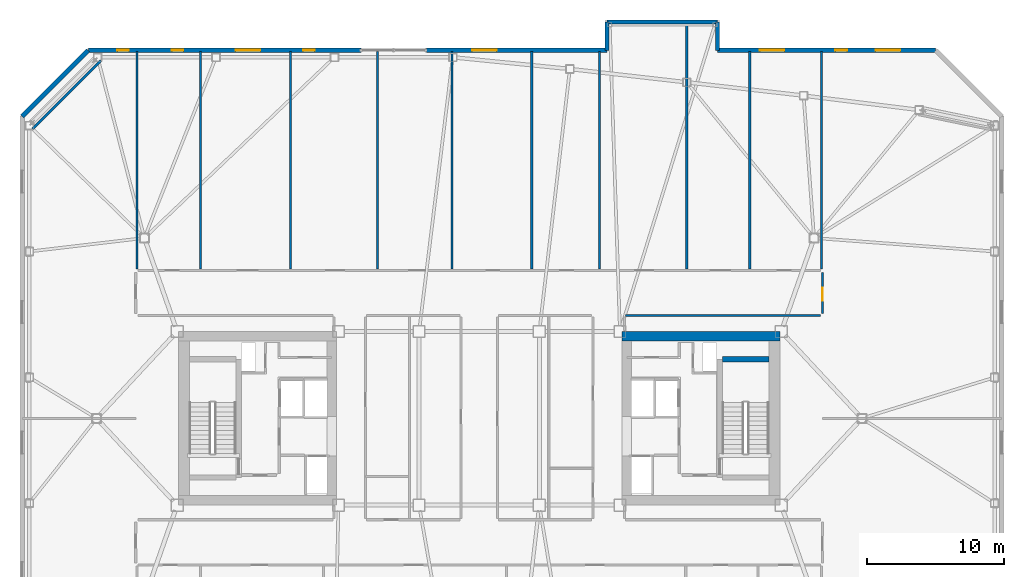
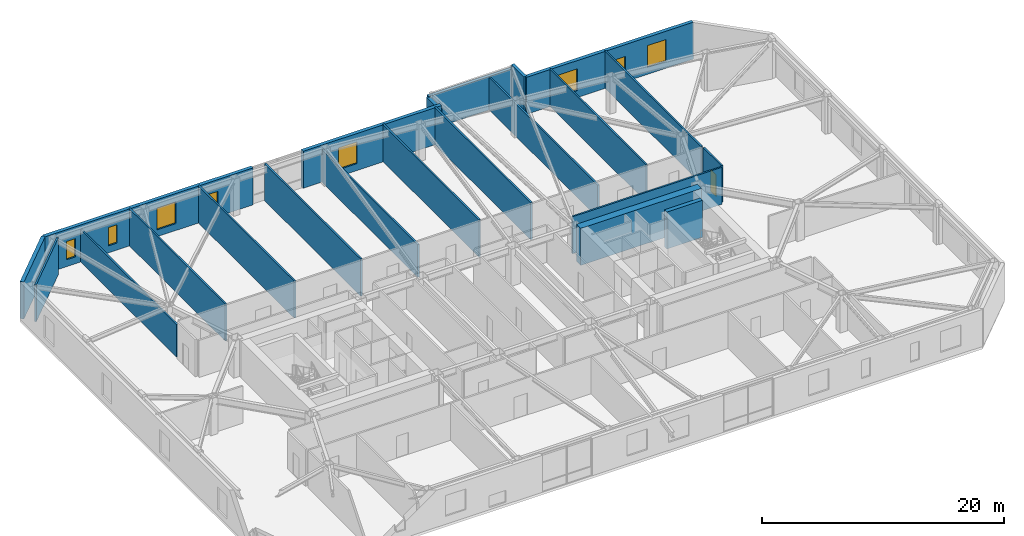
# One storey, part 13 of 18: 22 walls, 8 windows, 1 door, 9 openings.
"""IFC4 building model written with IfcOpenShell, lengths in metres."""

from ifc_helpers import new_model, si_unit, direction, frame, frame_2d, origin, place, context, subcontext, project, spatial, rectangle, extrude, material, layer, layer_set, type_object, element, fill, save


model = new_model("IFC4")

# Units and contexts
model_context = context("Model", 3, precision=1e-05, world=origin(), true_north=direction((0.0, 1.0)))
body_context = subcontext(model_context, "Body", "Model", "MODEL_VIEW")
ifc_project = project(units=[si_unit("LENGTHUNIT", "METRE"), si_unit("AREAUNIT", "SQUARE_METRE"), si_unit("VOLUMEUNIT", "CUBIC_METRE"), si_unit("PLANEANGLEUNIT", "RADIAN"), si_unit("MASSUNIT", "GRAM", prefix="KILO")], contexts=[model_context])

# Site, building, storey
site_placement = place(None, origin())
site = spatial("IfcSite", under=ifc_project, at=site_placement, CompositionType="ELEMENT")
building_placement = place(site_placement, origin())
building = spatial("IfcBuilding", under=site, at=building_placement, Name="Tavrogorsk Clinical Tower", CompositionType="ELEMENT")
storey_placement = place(building_placement, frame((0.0, 0.0, 184.199951171875)))
storey = spatial("IfcBuildingStorey", under=building, at=storey_placement, Name="L42", CompositionType="ELEMENT", Elevation=184.199951171875)

# Wall
ifc_material_1 = material(Name="Lightweight concrete blockwork B15", Category="masonry")
ifc_layer_1 = layer(ifc_material_1, 0.159912109375)
ifc_layer_set_1 = layer_set([ifc_layer_1], Name="Lightweight concrete blockwork B15")
wall_type_1 = type_object("IfcWallType", Name="PartitionWall_160", PredefinedType="PARTITIONING", material=ifc_layer_set_1)
wall_1_placement = place(storey_placement, frame((-27.6796875, 26.1796875, 0.0), z_axis=(0.0, 0.0, 1.0), x_axis=(-0.707106781187, -0.707106781187, 0.0)))
element("IfcWall", 1, at=wall_1_placement, inside=storey, type_object=wall_type_1, Name="L42 Corner Exoskeleton Brace Furring Wall 3", PredefinedType="PARTITIONING", context=body_context, shape_type="SweptSolid", body=[
    extrude(rectangle(XDim=7.071044921875, YDim=0.159912109375, at=frame_2d((3.53564453125, 0.0))), origin(), (0.0, 0.0, 1.0), 3.739990234375),
])

# Wall, opening, door
wall_2_placement = place(storey_placement, frame((25.1298828125, 10.6650390625, 0.0), z_axis=(0.0, 0.0, 1.0), x_axis=(0.0, -1.0, 0.0)))
wall_2 = element("IfcWall", 2, at=wall_2_placement, inside=storey, type_object=wall_type_1, Name="L42 Corridor Partition 08", PredefinedType="PARTITIONING", context=body_context, shape_type="SweptSolid", body=[
    extrude(rectangle(XDim=2.97998046875, YDim=0.159912109375, at=frame_2d((1.489990234375, 0.0))), origin(), (0.0, 0.0, 1.0), 3.739990234375),
])
opening_1_placement = place(wall_2_placement, frame((1.10009765625, 0.0, 0.0)))
opening_1 = element("IfcOpeningElement", 3, at=opening_1_placement, cuts=wall_2, Name="Opening ID-02", PredefinedType="OPENING", context=body_context, shape_type="SweptSolid", body=[
    extrude(rectangle(XDim=0.949951171875, YDim=2.199951171875, at=frame_2d((0.47509765625, 1.10009765625))), frame((0.0, 0.08984375, 0.0), z_axis=(0.0, -1.0, 0.0), x_axis=(1.0, 0.0, 0.0)), (0.0, 0.0, 1.0), 0.179931640625),
])
ifc_material_2 = material(Name="Laminated timber leaf on aluminium frame", Category="wood")
door_type = type_object("IfcDoorType", Name="InteriorDoor_ID02_950", OperationType="NOTDEFINED", PredefinedType="DOOR", material=ifc_material_2)
door_placement = place(opening_1_placement, origin())
door = element("IfcDoor", 4, at=door_placement, inside=storey, type_object=door_type, Name="L42 E Multidisciplinary Seminar Suite 2 Door", OperationType="SINGLE_SWING_LEFT", OverallHeight=2.199951171875, OverallWidth=0.949951171875, PredefinedType="DOOR", context=body_context, shape_type="SweptSolid", body=[
    extrude(rectangle(XDim=0.949951171875, YDim=2.199951171875, at=frame_2d((0.47509765625, 1.10009765625))), frame((0.0, 0.02490234375, 0.0), z_axis=(0.0, -1.0, 0.0), x_axis=(1.0, 0.0, 0.0)), (0.0, 0.0, 1.0), 0.050048828125),
])
fill(opening_1, door)

# Walls
wall_3_placement = place(storey_placement, frame((24.965087890625, 7.52001953125, 0.0), z_axis=(0.0, 0.0, 1.0), x_axis=(-1.0, 0.0, 0.0)))
element("IfcWall", 5, at=wall_3_placement, inside=storey, type_object=wall_type_1, Name="L42 Corridor Partition 09", PredefinedType="PARTITIONING", context=body_context, shape_type="SweptSolid", body=[
    extrude(rectangle(XDim=14.25, YDim=0.159912109375, at=frame_2d((7.125, 0.0))), origin(), (0.0, 0.0, 1.0), 3.739990234375),
])
wall_4_placement = place(storey_placement, frame((-25.050048828125, 10.9150390625, 0.0), z_axis=(0.0, 0.0, 1.0), x_axis=(0.0, 1.0, 0.0)))
element("IfcWall", 6, at=wall_4_placement, inside=storey, type_object=wall_type_1, Name="L42 NW Wing Closure Partition", PredefinedType="PARTITIONING", context=body_context, shape_type="SweptSolid", body=[
    extrude(rectangle(XDim=15.945068359375, YDim=0.159912109375, at=frame_2d((7.97265625, 0.0))), origin(), (0.0, 0.0, 1.0), 3.28515625),
])
for number, where, z_axis, x_axis, name in (
    (7, (25.050048828125, 10.9150390625, 0.0), (0.0, 0.0, 1.0), (0.0, 1.0, 0.0), "L42 NE Wing Closure Partition"),
    (8, (-20.39990234375, 10.9150390625, 0.0), (0.0, 0.0, 1.0), (0.0, 1.0, 0.0), "L42 North Room Partition 1"),
    (9, (-13.800048828125, 10.9150390625, 0.0), (0.0, 0.0, 1.0), (0.0, 1.0, 0.0), "L42 North Room Partition 2"),
):
    element("IfcWall", number, at=place(storey_placement, frame(where, z_axis=z_axis, x_axis=x_axis)), inside=storey, type_object=wall_type_1, Name=name, PredefinedType="PARTITIONING", context=body_context, shape_type="SweptSolid", body=[
        extrude(rectangle(XDim=15.945068359375, YDim=0.159912109375, at=frame_2d((7.97265625, 0.0))), origin(), (0.0, 0.0, 1.0), 3.739990234375),
    ])
wall_5_placement = place(storey_placement, frame((-2.0, 10.9150390625, 0.0), z_axis=(0.0, 0.0, 1.0), x_axis=(0.0, 1.0, 0.0)))
element("IfcWall", 10, at=wall_5_placement, inside=storey, type_object=wall_type_1, Name="L42 North Room Partition 3", PredefinedType="PARTITIONING", context=body_context, shape_type="SweptSolid", body=[
    extrude(rectangle(XDim=15.945068359375, YDim=0.159912109375, at=frame_2d((7.97265625, 0.0))), origin(), (0.0, 0.0, 1.0), 3.28515625),
])
for number, where, z_axis, x_axis, name in (
    (11, (8.800048828125, 10.9150390625, 0.0), (0.0, 0.0, 1.0), (0.0, 1.0, 0.0), "L42 North Room Partition 4"),
    (12, (19.800048828125, 10.9150390625, 0.0), (0.0, 0.0, 1.0), (0.0, 1.0, 0.0), "L42 North Room Partition 5"),
    (13, (-7.449951171875, 10.9150390625, 0.0), (0.0, 0.0, 1.0), (0.0, 1.0, 0.0), "L42 North Sub-Partition 3"),
    (14, (3.85009765625, 10.9150390625, 0.0), (0.0, 0.0, 1.0), (0.0, 1.0, 0.0), "L42 North Sub-Partition 4"),
):
    element("IfcWall", number, at=place(storey_placement, frame(where, z_axis=z_axis, x_axis=x_axis)), inside=storey, type_object=wall_type_1, Name=name, PredefinedType="PARTITIONING", context=body_context, shape_type="SweptSolid", body=[
        extrude(rectangle(XDim=15.945068359375, YDim=0.159912109375, at=frame_2d((7.97265625, 0.0))), origin(), (0.0, 0.0, 1.0), 3.739990234375),
    ])
wall_6_placement = place(storey_placement, frame((15.18994140625, 10.9150390625, 0.0), z_axis=(0.0, 0.0, 1.0), x_axis=(0.0, 1.0, 0.0)))
element("IfcWall", 15, at=wall_6_placement, inside=storey, type_object=wall_type_1, Name="L42 North Sub-Partition 5", PredefinedType="PARTITIONING", context=body_context, shape_type="SweptSolid", body=[
    extrude(rectangle(XDim=17.994873046875, YDim=0.159912109375, at=frame_2d((8.99755859375, 0.0))), origin(), (0.0, 0.0, 1.0), 3.28515625),
])

# Wall, openings, windows
ifc_material_3 = material(Name="Precast concrete B45 with limestone cladding", Category="masonry")
ifc_layer_2 = layer(ifc_material_3, 0.340087890625)
ifc_layer_set_2 = layer_set([ifc_layer_2], Name="Precast concrete B45 with limestone cladding")
wall_type_2 = type_object("IfcWallType", Name="PrecastLimestoneWall_340", PredefinedType="STANDARD", material=ifc_layer_set_2)
wall_7_placement = place(storey_placement, frame((33.39990234375, 26.929931640625, 0.0), z_axis=(0.0, 0.0, 1.0), x_axis=(-1.0, 0.0, 0.0)))
wall_7 = element("IfcWall", 16, at=wall_7_placement, inside=storey, type_object=wall_type_2, Name="L42 N Limestone Facade Wall 1", PredefinedType="STANDARD", context=body_context, shape_type="SweptSolid", body=[
    extrude(rectangle(XDim=15.949951171875, YDim=0.340087890625, at=frame_2d((7.97509765625, 0.0))), origin(), (0.0, 0.0, 1.0), 3.739990234375),
])
opening_2_placement = place(wall_7_placement, frame((11.0712890625, 0.0, 0.699951171875)))
opening_2 = element("IfcOpeningElement", 17, at=opening_2_placement, cuts=wall_7, Name="Opening WN-04", PredefinedType="OPENING", context=body_context, shape_type="SweptSolid", body=[
    extrude(rectangle(XDim=1.800048828125, YDim=2.199951171875, at=frame_2d((0.89990234375, 1.10009765625))), frame((0.0, 0.179931640625, 0.0), z_axis=(0.0, -1.0, 0.0), x_axis=(1.0, 0.0, 0.0)), (0.0, 0.0, 1.0), 0.360107421875),
])
opening_3_placement = place(wall_7_placement, frame((6.479736328125, 0.0, 0.699951171875)))
opening_3 = element("IfcOpeningElement", 18, at=opening_3_placement, cuts=wall_7, Name="Opening WN-06", PredefinedType="OPENING", context=body_context, shape_type="SweptSolid", body=[
    extrude(rectangle(XDim=0.85009765625, YDim=1.85009765625, at=frame_2d((0.425048828125, 0.925048828125))), frame((0.0, 0.179931640625, 0.0), z_axis=(0.0, -1.0, 0.0), x_axis=(1.0, 0.0, 0.0)), (0.0, 0.0, 1.0), 0.360107421875),
])
opening_4_placement = place(wall_7_placement, frame((2.591064453125, 0.0, 0.699951171875)))
opening_4 = element("IfcOpeningElement", 19, at=opening_4_placement, cuts=wall_7, Name="Opening WN-04", PredefinedType="OPENING", context=body_context, shape_type="SweptSolid", body=[
    extrude(rectangle(XDim=1.800048828125, YDim=2.199951171875, at=frame_2d((0.89990234375, 1.10009765625))), frame((0.0, 0.179931640625, 0.0), z_axis=(0.0, -1.0, 0.0), x_axis=(1.0, 0.0, 0.0)), (0.0, 0.0, 1.0), 0.360107421875),
])
ifc_material_4 = material(Name="Thermally broken aluminium frame and triple IGU", Category="aluminium")
window_type_1 = type_object("IfcWindowType", Name="IsolationWin_1800x2200", PartitioningType="SINGLE_PANEL", PredefinedType="WINDOW", material=ifc_material_4)
window_1_placement = place(opening_2_placement, origin())
window_1 = element("IfcWindow", 20, at=window_1_placement, inside=storey, type_object=window_type_1, Name="L42 N Chicago Window 08", OverallHeight=2.199951171875, OverallWidth=1.800048828125, PartitioningType="SINGLE_PANEL", PredefinedType="WINDOW", context=body_context, shape_type="SweptSolid", body=[
    extrude(rectangle(XDim=1.800048828125, YDim=2.199951171875, at=frame_2d((0.89990234375, 1.10009765625))), frame((0.0, 0.030029296875, 0.0), z_axis=(0.0, -1.0, 0.0), x_axis=(1.0, 0.0, 0.0)), (0.0, 0.0, 1.0), 0.06005859375),
])
fill(opening_2, window_1)
window_2_placement = place(opening_4_placement, origin())
window_2 = element("IfcWindow", 21, at=window_2_placement, inside=storey, type_object=window_type_1, Name="L42 N Chicago Window 10", OverallHeight=2.199951171875, OverallWidth=1.800048828125, PartitioningType="SINGLE_PANEL", PredefinedType="WINDOW", context=body_context, shape_type="SweptSolid", body=[
    extrude(rectangle(XDim=1.800048828125, YDim=2.199951171875, at=frame_2d((0.89990234375, 1.10009765625))), frame((0.0, 0.030029296875, 0.0), z_axis=(0.0, -1.0, 0.0), x_axis=(1.0, 0.0, 0.0)), (0.0, 0.0, 1.0), 0.06005859375),
])
fill(opening_4, window_2)
ifc_material_5 = material(Name="Thermally broken aluminium frame and triple IGU", Category="aluminium")
window_type_2 = type_object("IfcWindowType", Name="MullionSubWin_850x1850", PartitioningType="SINGLE_PANEL", PredefinedType="WINDOW", material=ifc_material_5)
window_3_placement = place(opening_3_placement, origin())
window_3 = element("IfcWindow", 22, at=window_3_placement, inside=storey, type_object=window_type_2, Name="L42 N Mullion Split Window 09A", OverallHeight=1.85009765625, OverallWidth=0.85009765625, PartitioningType="SINGLE_PANEL", PredefinedType="WINDOW", context=body_context, shape_type="SweptSolid", body=[
    extrude(rectangle(XDim=0.85009765625, YDim=1.85009765625, at=frame_2d((0.425048828125, 0.925048828125))), frame((0.0, 0.030029296875, 0.0), z_axis=(0.0, -1.0, 0.0), x_axis=(1.0, 0.0, 0.0)), (0.0, 0.0, 1.0), 0.06005859375),
])
fill(opening_3, window_3)

# Wall, opening, window
wall_8_placement = place(storey_placement, frame((9.35009765625, 26.929931640625, 0.0), z_axis=(0.0, 0.0, 1.0), x_axis=(-1.0, 0.0, 0.0)))
wall_8 = element("IfcWall", 23, at=wall_8_placement, inside=storey, type_object=wall_type_2, Name="L42 N Limestone Facade Wall 2", PredefinedType="STANDARD", context=body_context, shape_type="SweptSolid", body=[
    extrude(rectangle(XDim=13.212890625, YDim=0.340087890625, at=frame_2d((6.6064453125, 0.0))), origin(), (0.0, 0.0, 1.0), 3.739990234375),
])
opening_5_placement = place(wall_8_placement, frame((8.068603515625, 0.0, 0.699951171875)))
opening_5 = element("IfcOpeningElement", 24, at=opening_5_placement, cuts=wall_8, Name="Opening WN-04", PredefinedType="OPENING", context=body_context, shape_type="SweptSolid", body=[
    extrude(rectangle(XDim=1.800048828125, YDim=2.199951171875, at=frame_2d((0.89990234375, 1.10009765625))), frame((0.0, 0.179931640625, 0.0), z_axis=(0.0, -1.0, 0.0), x_axis=(1.0, 0.0, 0.0)), (0.0, 0.0, 1.0), 0.360107421875),
])
window_4_placement = place(opening_5_placement, origin())
window_4 = element("IfcWindow", 25, at=window_4_placement, inside=storey, type_object=window_type_1, Name="L42 N Chicago Window 05", OverallHeight=2.199951171875, OverallWidth=1.800048828125, PartitioningType="SINGLE_PANEL", PredefinedType="WINDOW", context=body_context, shape_type="SweptSolid", body=[
    extrude(rectangle(XDim=1.800048828125, YDim=2.199951171875, at=frame_2d((0.89990234375, 1.10009765625))), frame((0.0, 0.030029296875, 0.0), z_axis=(0.0, -1.0, 0.0), x_axis=(1.0, 0.0, 0.0)), (0.0, 0.0, 1.0), 0.06005859375),
])
fill(opening_5, window_4)

# Wall, openings, windows
wall_9_placement = place(storey_placement, frame((-8.662841796875, 26.929931640625, 0.0), z_axis=(0.0, 0.0, 1.0), x_axis=(-1.0, 0.0, 0.0)))
wall_9 = element("IfcWall", 26, at=wall_9_placement, inside=storey, type_object=wall_type_2, Name="L42 N Limestone Facade Wall 3", PredefinedType="STANDARD", context=body_context, shape_type="SweptSolid", body=[
    extrude(rectangle(XDim=19.937255859375, YDim=0.340087890625, at=frame_2d((9.96875, 0.0))), origin(), (0.0, 0.0, 1.0), 3.739990234375),
])
opening_6_placement = place(wall_9_placement, frame((16.96826171875, 0.0, 0.699951171875)))
opening_6 = element("IfcOpeningElement", 27, at=opening_6_placement, cuts=wall_9, Name="Opening WN-06", PredefinedType="OPENING", context=body_context, shape_type="SweptSolid", body=[
    extrude(rectangle(XDim=0.85009765625, YDim=1.85009765625, at=frame_2d((0.425048828125, 0.925048828125))), frame((0.0, 0.179931640625, 0.0), z_axis=(0.0, -1.0, 0.0), x_axis=(1.0, 0.0, 0.0)), (0.0, 0.0, 1.0), 0.360107421875),
])
opening_7_placement = place(wall_9_placement, frame((12.9833984375, 0.0, 0.699951171875)))
opening_7 = element("IfcOpeningElement", 28, at=opening_7_placement, cuts=wall_9, Name="Opening WN-06", PredefinedType="OPENING", context=body_context, shape_type="SweptSolid", body=[
    extrude(rectangle(XDim=0.85009765625, YDim=1.85009765625, at=frame_2d((0.425048828125, 0.925048828125))), frame((0.0, 0.179931640625, 0.0), z_axis=(0.0, -1.0, 0.0), x_axis=(1.0, 0.0, 0.0)), (0.0, 0.0, 1.0), 0.360107421875),
])
opening_8_placement = place(wall_9_placement, frame((7.355224609375, 0.0, 0.699951171875)))
opening_8 = element("IfcOpeningElement", 29, at=opening_8_placement, cuts=wall_9, Name="Opening WN-04", PredefinedType="OPENING", context=body_context, shape_type="SweptSolid", body=[
    extrude(rectangle(XDim=1.800048828125, YDim=2.199951171875, at=frame_2d((0.89990234375, 1.10009765625))), frame((0.0, 0.179931640625, 0.0), z_axis=(0.0, -1.0, 0.0), x_axis=(1.0, 0.0, 0.0)), (0.0, 0.0, 1.0), 0.360107421875),
])
opening_9_placement = place(wall_9_placement, frame((3.37060546875, 0.0, 0.699951171875)))
opening_9 = element("IfcOpeningElement", 30, at=opening_9_placement, cuts=wall_9, Name="Opening WN-06", PredefinedType="OPENING", context=body_context, shape_type="SweptSolid", body=[
    extrude(rectangle(XDim=0.85009765625, YDim=1.85009765625, at=frame_2d((0.425048828125, 0.925048828125))), frame((0.0, 0.179931640625, 0.0), z_axis=(0.0, -1.0, 0.0), x_axis=(1.0, 0.0, 0.0)), (0.0, 0.0, 1.0), 0.360107421875),
])
window_5_placement = place(opening_8_placement, origin())
window_5 = element("IfcWindow", 31, at=window_5_placement, inside=storey, type_object=window_type_1, Name="L42 N Chicago Window 03", OverallHeight=2.199951171875, OverallWidth=1.800048828125, PartitioningType="SINGLE_PANEL", PredefinedType="WINDOW", context=body_context, shape_type="SweptSolid", body=[
    extrude(rectangle(XDim=1.800048828125, YDim=2.199951171875, at=frame_2d((0.89990234375, 1.10009765625))), frame((0.0, 0.030029296875, 0.0), z_axis=(0.0, -1.0, 0.0), x_axis=(1.0, 0.0, 0.0)), (0.0, 0.0, 1.0), 0.06005859375),
])
fill(opening_8, window_5)
window_6_placement = place(opening_6_placement, origin())
window_6 = element("IfcWindow", 32, at=window_6_placement, inside=storey, type_object=window_type_2, Name="L42 N Mullion Split Window 01B", OverallHeight=1.85009765625, OverallWidth=0.85009765625, PartitioningType="SINGLE_PANEL", PredefinedType="WINDOW", context=body_context, shape_type="SweptSolid", body=[
    extrude(rectangle(XDim=0.85009765625, YDim=1.85009765625, at=frame_2d((0.425048828125, 0.925048828125))), frame((0.0, 0.030029296875, 0.0), z_axis=(0.0, -1.0, 0.0), x_axis=(1.0, 0.0, 0.0)), (0.0, 0.0, 1.0), 0.06005859375),
])
fill(opening_6, window_6)
window_7_placement = place(opening_7_placement, origin())
window_7 = element("IfcWindow", 33, at=window_7_placement, inside=storey, type_object=window_type_2, Name="L42 N Mullion Split Window 02B", OverallHeight=1.85009765625, OverallWidth=0.85009765625, PartitioningType="SINGLE_PANEL", PredefinedType="WINDOW", context=body_context, shape_type="SweptSolid", body=[
    extrude(rectangle(XDim=0.85009765625, YDim=1.85009765625, at=frame_2d((0.425048828125, 0.925048828125))), frame((0.0, 0.030029296875, 0.0), z_axis=(0.0, -1.0, 0.0), x_axis=(1.0, 0.0, 0.0)), (0.0, 0.0, 1.0), 0.06005859375),
])
fill(opening_7, window_7)
window_8_placement = place(opening_9_placement, origin())
window_8 = element("IfcWindow", 34, at=window_8_placement, inside=storey, type_object=window_type_2, Name="L42 N Mullion Split Window 04A", OverallHeight=1.85009765625, OverallWidth=0.85009765625, PartitioningType="SINGLE_PANEL", PredefinedType="WINDOW", context=body_context, shape_type="SweptSolid", body=[
    extrude(rectangle(XDim=0.85009765625, YDim=1.85009765625, at=frame_2d((0.425048828125, 0.925048828125))), frame((0.0, 0.030029296875, 0.0), z_axis=(0.0, -1.0, 0.0), x_axis=(1.0, 0.0, 0.0)), (0.0, 0.0, 1.0), 0.06005859375),
])
fill(opening_9, window_8)

# Walls
wall_10_placement = place(storey_placement, frame((-28.60009765625, 26.929931640625, 0.0), z_axis=(0.0, 0.0, 1.0), x_axis=(-0.707106781187, -0.707106781187, 0.0)))
element("IfcWall", 35, at=wall_10_placement, inside=storey, type_object=wall_type_2, Name="L42 Chamfered Corner Wall 3", PredefinedType="STANDARD", context=body_context, shape_type="SweptSolid", body=[
    extrude(rectangle(XDim=6.830322265625, YDim=0.340087890625, at=frame_2d((3.4150390625, 0.0))), origin(), (0.0, 0.0, 1.0), 3.739990234375),
])
wall_11_placement = place(storey_placement, frame((9.35009765625, 29.0, 0.0), z_axis=(0.0, 0.0, 1.0), x_axis=(1.0, 0.0, 0.0)))
element("IfcWall", 36, at=wall_11_placement, inside=storey, type_object=wall_type_2, Name="L42 Day-Room Limestone Front DRB-06", PredefinedType="STANDARD", context=body_context, shape_type="SweptSolid", body=[
    extrude(rectangle(XDim=8.099853515625, YDim=0.300048828125, at=frame_2d((4.0498046875, 0.0))), origin(), (0.0, 0.0, 1.0), 3.385009765625),
])
ifc_material_6 = material(Name="Concrete B80", Category="concrete")
ifc_layer_3 = layer(ifc_material_6, 0.39990234375)
ifc_layer_set_3 = layer_set([ifc_layer_3], Name="Concrete B80")
wall_type_3 = type_object("IfcWallType", Name="ShearWall_400", PredefinedType="SHEAR", material=ifc_layer_set_3)
wall_12_placement = place(storey_placement, frame((17.800048828125, 4.324951171875, 0.0), z_axis=(0.0, 0.0, 1.0), x_axis=(1.0, 0.0, 0.0)))
element("IfcWall", 37, at=wall_12_placement, inside=storey, type_object=wall_type_3, Name="L42 Core East Stair Shaft North Shear Wall", PredefinedType="SHEAR", context=body_context, shape_type="SweptSolid", body=[
    extrude(rectangle(XDim=3.39990234375, YDim=0.39990234375, at=frame_2d((1.699951171875, 0.0))), origin(), (0.0, 0.0, 1.0), 3.739990234375),
])
ifc_material_7 = material(Name="Concrete B80", Category="concrete")
ifc_layer_4 = layer(ifc_material_7, 0.699951171875)
ifc_layer_set_4 = layer_set([ifc_layer_4], Name="Concrete B80")
wall_type_4 = type_object("IfcWallType", Name="ShearWall_700", PredefinedType="SHEAR", material=ifc_layer_set_4)
wall_13_placement = place(storey_placement, frame((10.449951171875, 6.0, 0.0), z_axis=(0.0, 0.0, 1.0), x_axis=(1.0, 0.0, 0.0)))
element("IfcWall", 38, at=wall_13_placement, inside=storey, type_object=wall_type_4, Name="L42 Core East North Shear Wall", PredefinedType="SHEAR", context=body_context, shape_type="SweptSolid", body=[
    extrude(rectangle(XDim=11.550048828125, YDim=0.699951171875, at=frame_2d((5.77490234375, 0.0))), origin(), (0.0, 0.0, 1.0), 3.739990234375),
])
ifc_material_8 = material(Name="Precast concrete B45 with mineral wool", Category="concrete")
ifc_layer_5 = layer(ifc_material_8, 0.300048828125)
ifc_layer_set_5 = layer_set([ifc_layer_5], Name="Precast concrete B45 with mineral wool")
wall_type_5 = type_object("IfcWallType", Name="SpandrelBackWall_300", PredefinedType="STANDARD", material=ifc_layer_set_5)
wall_14_placement = place(storey_placement, frame((9.35009765625, 26.929931640625, 0.0), z_axis=(0.0, 0.0, 1.0), x_axis=(0.0, 1.0, 0.0)))
element("IfcWall", 39, at=wall_14_placement, inside=storey, type_object=wall_type_5, Name="L42 Day-Room Cheek Wall DRB-06-L", PredefinedType="STANDARD", context=body_context, shape_type="SweptSolid", body=[
    extrude(rectangle(XDim=2.070068359375, YDim=0.300048828125, at=frame_2d((1.03515625, 0.0))), origin(), (0.0, 0.0, 1.0), 3.28515625),
])
wall_15_placement = place(storey_placement, frame((17.449951171875, 26.929931640625, 0.0), z_axis=(0.0, 0.0, 1.0), x_axis=(0.0, 1.0, 0.0)))
element("IfcWall", 40, at=wall_15_placement, inside=storey, type_object=wall_type_5, Name="L42 Day-Room Cheek Wall DRB-06-R", PredefinedType="STANDARD", context=body_context, shape_type="SweptSolid", body=[
    extrude(rectangle(XDim=2.070068359375, YDim=0.300048828125, at=frame_2d((1.03515625, 0.0))), origin(), (0.0, 0.0, 1.0), 3.739990234375),
])

save(model, "model.ifc")
